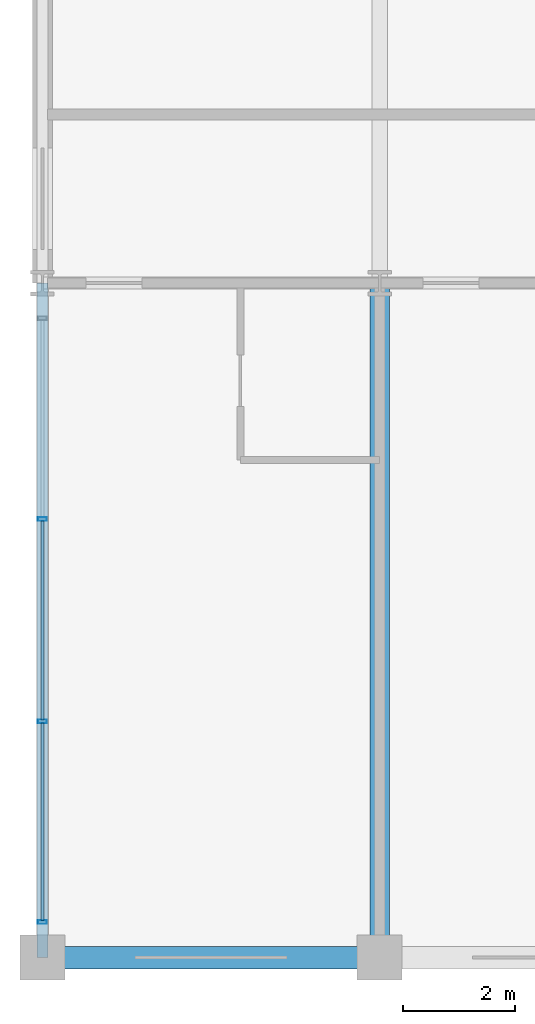
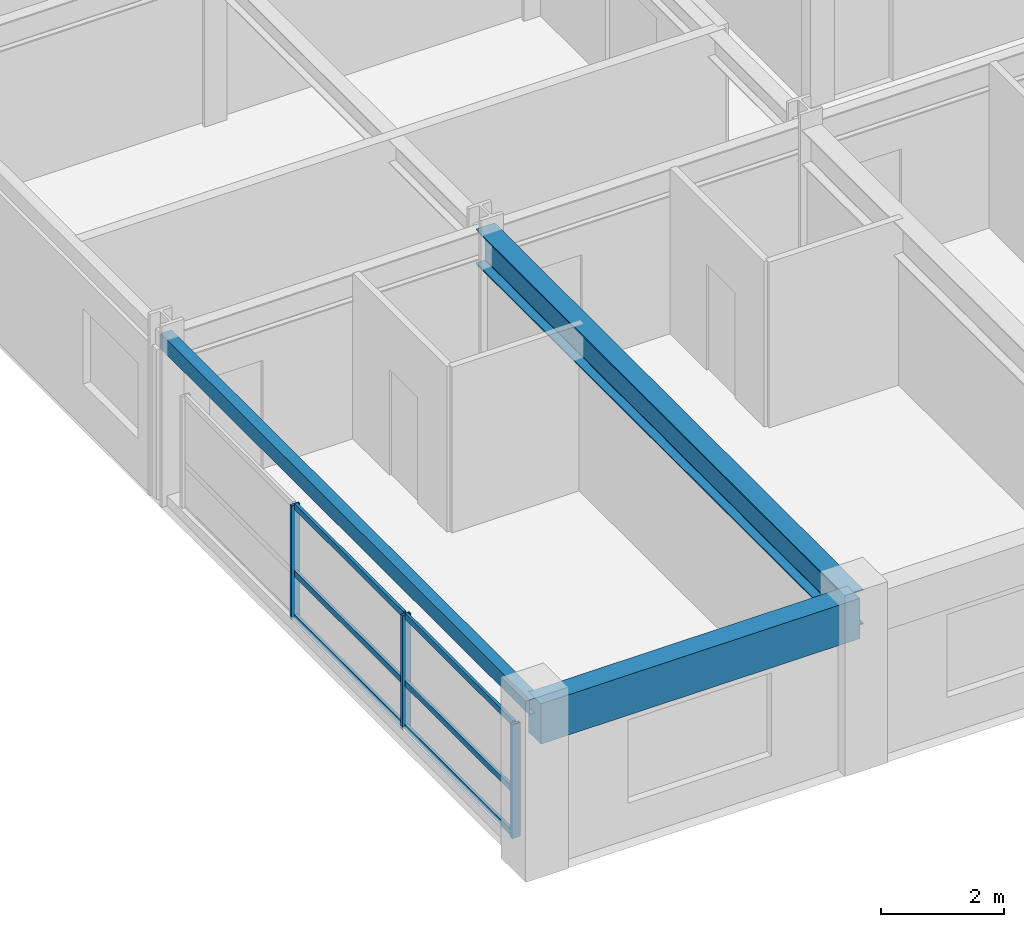
# One storey, part 2 of 27: 9 members, 3 beams, 1 element without a shape of its own.
"""IFC4 building model written with IfcOpenShell, lengths in metres."""

from ifc_helpers import new_model, si_unit, direction, frame, origin, origin_2d, place, context, subcontext, project, spatial, rectangle, hollow_rectangle, i_section, extrude, material, material_profile, profile_set, type_object, element, aggregate, save


model = new_model("IFC4")

# Units and contexts
model_context = context("Model", 3, precision=1e-05, world=origin(), true_north=direction((0.0, 1.0)))
body_context = subcontext(model_context, "Body", "Model", "MODEL_VIEW")
ifc_project = project(units=[si_unit("LENGTHUNIT", "METRE"), si_unit("AREAUNIT", "SQUARE_METRE"), si_unit("VOLUMEUNIT", "CUBIC_METRE"), si_unit("PLANEANGLEUNIT", "RADIAN"), si_unit("MASSUNIT", "GRAM", prefix="KILO")], contexts=[model_context])

# Site, building, storey
site_placement = place(None, origin())
site = spatial("IfcSite", under=ifc_project, at=site_placement, CompositionType="ELEMENT")
building_placement = place(site_placement, origin())
building = spatial("IfcBuilding", under=site, at=building_placement, Name="Kaldorvane Square Convention Centre", CompositionType="ELEMENT")
storey_placement = place(building_placement, frame((0.0, 0.0, 38.399993896484375)))
storey = spatial("IfcBuildingStorey", under=building, at=storey_placement, Name="L08", CompositionType="ELEMENT", Elevation=38.399993896484375)

# Beams
ifc_material_1 = material(Name="Steel ASTM A992 Gr. 50", Category="steel")
ifc_material_profile_1 = material_profile(ifc_material_1, i_section(OverallWidth=0.354705810546875, OverallDepth=0.69549560546875, WebThickness=0.0153961181640625, FlangeThickness=0.0251007080078125, FilletRadius=0.01519775390625, at=origin_2d()), Name="W27X146")
ifc_profile_set_1 = profile_set([ifc_material_profile_1], Name="Steel ASTM A992 Gr. 50")
beam_type_1 = type_object("IfcBeamType", Name="BM-GR-W27X146", PredefinedType="BEAM", material=ifc_profile_set_1)
beam_1_placement = place(storey_placement, frame((30.0, 84.0, 2.9383087158203125), z_axis=(0.0, 1.0, 0.0), x_axis=(-1.0, 0.0, 0.0)))
element("IfcBeam", 1, at=beam_1_placement, inside=storey, type_object=beam_type_1, Name="Transverse Girder (L08)", PredefinedType="BEAM", context=body_context, shape_type="SweptSolid", body=[
    extrude(i_section(OverallWidth=0.354705810546875, OverallDepth=0.69549560546875, WebThickness=0.0153961181640625, FlangeThickness=0.0251007080078125, FilletRadius=0.01519775390625, at=origin_2d()), origin(), (0.0, 0.0, 1.0), 12.0),
])
ifc_material_2 = material(Name="Steel ASTM A500 Gr. C", Category="steel")
ifc_material_profile_2 = material_profile(ifc_material_2, hollow_rectangle(XDim=0.2032012939453125, YDim=0.3047943115234375, WallThickness=0.0088958740234375, at=origin_2d()), Name="HSS12X8X3/8")
ifc_profile_set_2 = profile_set([ifc_material_profile_2], Name="Steel ASTM A500 Gr. C")
beam_type_2 = type_object("IfcBeamType", Name="BM-SP-HSS12", PredefinedType="SPANDREL", material=ifc_profile_set_2)
beam_2_placement = place(storey_placement, frame((24.0, 84.0, 3.13360595703125), z_axis=(0.0, 1.0, 0.0), x_axis=(-1.0, 0.0, 0.0)))
element("IfcBeam", 2, at=beam_2_placement, inside=storey, type_object=beam_type_2, Name="End Spandrel (L08)", PredefinedType="SPANDREL", context=body_context, shape_type="SweptSolid", body=[
    extrude(hollow_rectangle(XDim=0.2032012939453125, YDim=0.3047943115234375, WallThickness=0.0088958740234375, at=origin_2d()), origin(), (0.0, 0.0, 1.0), 12.0),
])
ifc_material_3 = material(Name="Concrete f'c = 42 MPa (Normalweight)", Category="concrete")
ifc_material_profile_3 = material_profile(ifc_material_3, rectangle(XDim=0.399993896484375, YDim=0.8000030517578125, at=origin_2d()), Name="RCSP800X400")
ifc_profile_set_3 = profile_set([ifc_material_profile_3], Name="Concrete f'c = 42 MPa (Normalweight)")
beam_type_3 = type_object("IfcBeamType", Name="BM-SP-RC800", PredefinedType="SPANDREL", material=ifc_profile_set_3)
beam_3_placement = place(storey_placement, frame((24.0, 84.0, 2.8860015869140625), z_axis=(1.0, 0.0, 0.0), x_axis=(0.0, 1.0, 0.0)))
element("IfcBeam", 3, at=beam_3_placement, inside=storey, type_object=beam_type_3, Name="Perimeter Spandrel (L08)", PredefinedType="SPANDREL", context=body_context, shape_type="SweptSolid", body=[
    extrude(rectangle(XDim=0.399993896484375, YDim=0.8000030517578125, at=origin_2d()), origin(), (0.0, 0.0, 1.0), 6.0),
])

# Curtain wall, members
ifc_material_4 = material(Name="Anodized Aluminum and Low-E Insulated Glazing", Category="aluminium")
curtain_wall_type = type_object("IfcCurtainWallType", Name="CW-UNI-HTL-B", PredefinedType="USERDEFINED", material=ifc_material_4)
curtain_wall_placement = place(storey_placement, origin())
curtain_wall = element("IfcCurtainWall", 4, at=curtain_wall_placement, inside=storey, type_object=curtain_wall_type, Name="Curtain Wall CW-11 (L08)", ObjectType="UNITISED GLAZING", PredefinedType="USERDEFINED")
ifc_material_profile_4 = material_profile(ifc_material_4, hollow_rectangle(XDim=0.05999755859375, YDim=0.160003662109375, WallThickness=0.003204345703125, at=origin_2d()), Name="CWM-160X60")
ifc_profile_set_4 = profile_set([ifc_material_profile_4], Name="Anodized Aluminum and Low-E Insulated Glazing")
member_type_1 = type_object("IfcMemberType", Name="CW-MUL-160", PredefinedType="MULLION", material=ifc_profile_set_4)
member_1_placement = place(storey_placement, frame((24.0, 91.80000305175781, 0.1500091552734375), z_axis=(0.0, 0.0, 1.0), x_axis=(0.0, -1.0, 0.0)))
member_1 = element("IfcMember", 5, at=member_1_placement, type_object=member_type_1, Name="CW-11 mullion 2", PredefinedType="MULLION", context=body_context, shape_type="SweptSolid", body=[
    extrude(hollow_rectangle(XDim=0.05999755859375, YDim=0.160003662109375, WallThickness=0.003204345703125, at=origin_2d()), origin(), (0.0, 0.0, 1.0), 2.2599945068359375),
])
member_2_placement = place(storey_placement, frame((24.0, 88.19999694824219, 0.1500091552734375), z_axis=(0.0, 0.0, 1.0), x_axis=(0.0, -1.0, 0.0)))
member_2 = element("IfcMember", 6, at=member_2_placement, type_object=member_type_1, Name="CW-11 mullion 3", PredefinedType="MULLION", context=body_context, shape_type="SweptSolid", body=[
    extrude(hollow_rectangle(XDim=0.05999755859375, YDim=0.160003662109375, WallThickness=0.003204345703125, at=origin_2d()), origin(), (0.0, 0.0, 1.0), 2.2599945068359375),
])
member_3_placement = place(storey_placement, frame((24.0, 84.6300048828125, 0.1500091552734375), z_axis=(0.0, 0.0, 1.0), x_axis=(0.0, -1.0, 0.0)))
member_3 = element("IfcMember", 7, at=member_3_placement, type_object=member_type_1, Name="CW-11 mullion 4", PredefinedType="MULLION", context=body_context, shape_type="SweptSolid", body=[
    extrude(hollow_rectangle(XDim=0.05999755859375, YDim=0.160003662109375, WallThickness=0.003204345703125, at=origin_2d()), origin(), (0.0, 0.0, 1.0), 2.2599945068359375),
])
ifc_material_profile_5 = material_profile(ifc_material_4, hollow_rectangle(XDim=0.05499267578125, YDim=0.1199951171875, WallThickness=0.0030059814453125, at=origin_2d()), Name="CWT-120X55")
ifc_profile_set_5 = profile_set([ifc_material_profile_5], Name="Anodized Aluminum and Low-E Insulated Glazing")
member_type_2 = type_object("IfcMemberType", Name="CW-TRN-120", PredefinedType="USERDEFINED", material=ifc_profile_set_5)
member_4_placement = place(storey_placement, frame((24.0, 91.77000427246094, 0.1775054931640625), z_axis=(0.0, -1.0, 0.0), x_axis=(1.0, 0.0, 0.0)))
member_4 = element("IfcMember", 8, at=member_4_placement, type_object=member_type_2, Name="CW-11 transom 2.1", ObjectType="TRANSOM", PredefinedType="USERDEFINED", context=body_context, shape_type="SweptSolid", body=[
    extrude(hollow_rectangle(XDim=0.05499267578125, YDim=0.1199951171875, WallThickness=0.0030059814453125, at=origin_2d()), origin(), (0.0, 0.0, 1.0), 3.540008544921875),
])
member_5_placement = place(storey_placement, frame((24.0, 91.77000427246094, 1.0500030517578125), z_axis=(0.0, -1.0, 0.0), x_axis=(1.0, 0.0, 0.0)))
member_5 = element("IfcMember", 9, at=member_5_placement, type_object=member_type_2, Name="CW-11 transom 2.2", ObjectType="TRANSOM", PredefinedType="USERDEFINED", context=body_context, shape_type="SweptSolid", body=[
    extrude(hollow_rectangle(XDim=0.05499267578125, YDim=0.1199951171875, WallThickness=0.0030059814453125, at=origin_2d()), origin(), (0.0, 0.0, 1.0), 3.540008544921875),
])
member_6_placement = place(storey_placement, frame((24.0, 91.77000427246094, 2.38250732421875), z_axis=(0.0, -1.0, 0.0), x_axis=(1.0, 0.0, 0.0)))
member_6 = element("IfcMember", 10, at=member_6_placement, type_object=member_type_2, Name="CW-11 transom 2.3", ObjectType="TRANSOM", PredefinedType="USERDEFINED", context=body_context, shape_type="SweptSolid", body=[
    extrude(hollow_rectangle(XDim=0.05499267578125, YDim=0.1199951171875, WallThickness=0.0030059814453125, at=origin_2d()), origin(), (0.0, 0.0, 1.0), 3.540008544921875),
])
member_7_placement = place(storey_placement, frame((24.0, 88.16999816894531, 0.1775054931640625), z_axis=(0.0, -1.0, 0.0), x_axis=(1.0, 0.0, 0.0)))
member_7 = element("IfcMember", 11, at=member_7_placement, type_object=member_type_2, Name="CW-11 transom 3.1", ObjectType="TRANSOM", PredefinedType="USERDEFINED", context=body_context, shape_type="SweptSolid", body=[
    extrude(hollow_rectangle(XDim=0.05499267578125, YDim=0.1199951171875, WallThickness=0.0030059814453125, at=origin_2d()), origin(), (0.0, 0.0, 1.0), 3.5099945068359375),
])
member_8_placement = place(storey_placement, frame((24.0, 88.16999816894531, 1.0500030517578125), z_axis=(0.0, -1.0, 0.0), x_axis=(1.0, 0.0, 0.0)))
member_8 = element("IfcMember", 12, at=member_8_placement, type_object=member_type_2, Name="CW-11 transom 3.2", ObjectType="TRANSOM", PredefinedType="USERDEFINED", context=body_context, shape_type="SweptSolid", body=[
    extrude(hollow_rectangle(XDim=0.05499267578125, YDim=0.1199951171875, WallThickness=0.0030059814453125, at=origin_2d()), origin(), (0.0, 0.0, 1.0), 3.5099945068359375),
])
member_9_placement = place(storey_placement, frame((24.0, 88.16999816894531, 2.38250732421875), z_axis=(0.0, -1.0, 0.0), x_axis=(1.0, 0.0, 0.0)))
member_9 = element("IfcMember", 13, at=member_9_placement, type_object=member_type_2, Name="CW-11 transom 3.3", ObjectType="TRANSOM", PredefinedType="USERDEFINED", context=body_context, shape_type="SweptSolid", body=[
    extrude(hollow_rectangle(XDim=0.05499267578125, YDim=0.1199951171875, WallThickness=0.0030059814453125, at=origin_2d()), origin(), (0.0, 0.0, 1.0), 3.5099945068359375),
])
aggregate(curtain_wall, [member_1, member_2, member_3, member_4, member_5, member_6, member_7, member_8, member_9])

save(model, "model.ifc")
